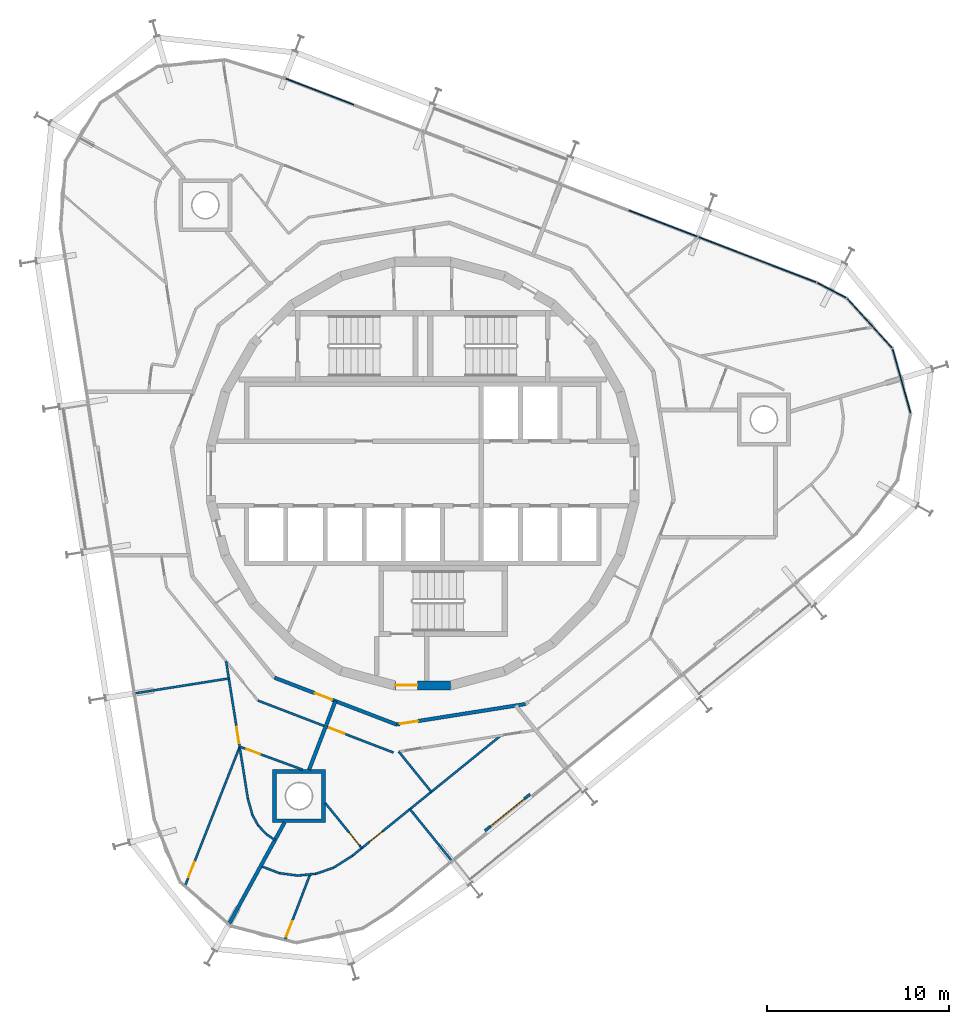
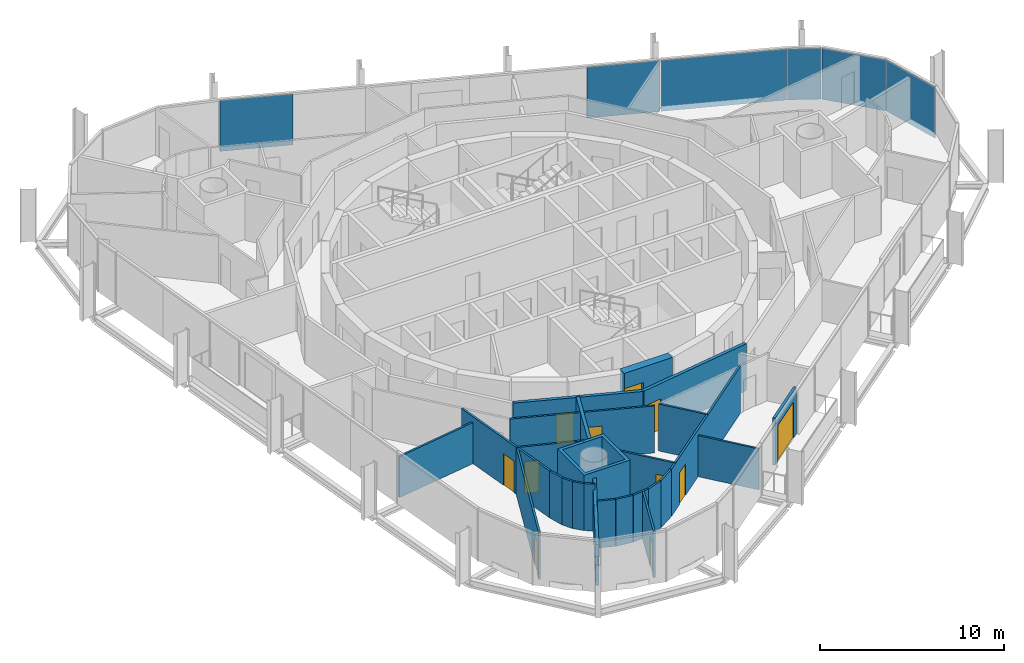
# One storey, part 11 of 17: 26 walls, 11 doors, 6 plates, 11 openings, 2 elements without a shape of their own.
"""IFC4 building model written with IfcOpenShell, lengths in metres."""

from ifc_helpers import new_model, si_unit, direction, frame, frame_2d, origin, origin_2d, place, context, subcontext, project, spatial, polyline, rectangle, outline, extrude, material, layer, layer_set, type_object, element, fill, aggregate, save


model = new_model("IFC4")

# Units and contexts
model_context = context("Model", 3, precision=1e-05, world=origin(), true_north=direction((0.0, 1.0)))
body_context = subcontext(model_context, "Body", "Model", "MODEL_VIEW")
ifc_project = project(units=[si_unit("LENGTHUNIT", "METRE"), si_unit("AREAUNIT", "SQUARE_METRE"), si_unit("VOLUMEUNIT", "CUBIC_METRE"), si_unit("PLANEANGLEUNIT", "RADIAN"), si_unit("MASSUNIT", "GRAM", prefix="KILO")], contexts=[model_context])

# Site, building, storey
site_placement = place(None, origin())
site = spatial("IfcSite", under=ifc_project, at=site_placement, CompositionType="ELEMENT")
building_placement = place(site_placement, origin())
building = spatial("IfcBuilding", under=site, at=building_placement, Name="Spindle Arch Residences", CompositionType="ELEMENT")
storey_placement = place(building_placement, frame((0.0, 0.0, 270.39990234375)))
storey = spatial("IfcBuildingStorey", under=building, at=storey_placement, Name="L69", CompositionType="ELEMENT", Elevation=270.39990234375)

# Curtain wall, plates
ifc_material_1 = material(Name="Aluminium bronze unitised frame with tinted glass", Category="aluminium")
ifc_layer_1 = layer(ifc_material_1, 0.159912109375)
ifc_layer_set_1 = layer_set([ifc_layer_1], Name="CW-D corner wall on the fillet arcs")
curtain_wall_type_1 = type_object("IfcCurtainWallType", Name="CW-D corner wall on the fillet arcs", PredefinedType="NOTDEFINED", material=ifc_layer_set_1)
curtain_wall_1_placement = place(storey_placement, origin())
curtain_wall_1 = element("IfcCurtainWall", 1, at=curtain_wall_1_placement, inside=storey, type_object=curtain_wall_type_1, Name="CW-D L69 run 1", PredefinedType="NOTDEFINED")
ifc_material_2 = material(Name="Tinted double glazing over aluminium faced non-combustible spandrel zone (K0)", Category="aluminium")
ifc_layer_2 = layer(ifc_material_2, 0.06005859375)
ifc_layer_set_2 = layer_set([ifc_layer_2], Name="Unitised glass panel with E 60 spandrel zone")
plate_type = type_object("IfcPlateType", Name="Unitised glass panel with E 60 spandrel zone", PredefinedType="CURTAIN_PANEL", material=ifc_layer_set_2)
plate_1_placement = place(storey_placement, frame((26.32958984375, 5.09423828125, -0.3798828125), z_axis=(0.0, 0.0, 1.0), x_axis=(-0.270040328007, 0.962849012696, 0.0)))
plate_1 = element("IfcPlate", 2, at=plate_1_placement, type_object=plate_type, Name="CW-D unit 03", PredefinedType="CURTAIN_PANEL", context=body_context, shape_type="SweptSolid", body=[
    extrude(rectangle(XDim=3.666748046875, YDim=0.06005859375, at=origin_2d()), origin(), (0.0, 0.0, 1.0), 3.3798828125),
])
plate_2_placement = place(storey_placement, frame((24.571533203125, 8.265869140625, -0.3798828125), z_axis=(0.0, 0.0, 1.0), x_axis=(-0.673442702134, 0.73923942464, 0.0)))
plate_2 = element("IfcPlate", 3, at=plate_2_placement, type_object=plate_type, Name="CW-D unit 04", PredefinedType="CURTAIN_PANEL", context=body_context, shape_type="SweptSolid", body=[
    extrude(rectangle(XDim=3.666748046875, YDim=0.06005859375, at=origin_2d()), origin(), (0.0, 0.0, 1.0), 3.3798828125),
])
plate_3_placement = place(storey_placement, frame((22.48583984375, 10.078857421875, -0.3798828125), z_axis=(0.0, 0.0, 1.0), x_axis=(-0.885663912754, 0.464326860783, 0.0)))
plate_3 = element("IfcPlate", 4, at=plate_3_placement, type_object=plate_type, Name="CW-D unit 05", PredefinedType="CURTAIN_PANEL", context=body_context, shape_type="SweptSolid", body=[
    extrude(rectangle(XDim=1.816162109375, YDim=0.06005859375, at=origin_2d()), origin(), (0.0, 0.0, 1.0), 3.3798828125),
])
plate_4_placement = place(storey_placement, frame((18.392333984375, 11.76708984375, -0.3798828125), z_axis=(0.0, 0.0, 1.0), x_axis=(-0.933580426497, 0.358367949545, 0.0)))
plate_4 = element("IfcPlate", 5, at=plate_4_placement, type_object=plate_type, Name="CW-D unit 06", PredefinedType="CURTAIN_PANEL", context=body_context, shape_type="SweptSolid", body=[
    extrude(rectangle(XDim=6.9296875, YDim=0.06005859375, at=origin_2d()), origin(), (0.0, 0.0, 1.0), 3.3798828125),
])
aggregate(curtain_wall_1, [plate_1, plate_2, plate_3, plate_4])

ifc_material_3 = material(Name="Aluminium bronze unitised frame with tinted glass", Category="aluminium")
ifc_layer_3 = layer(ifc_material_3, 0.159912109375)
ifc_layer_set_3 = layer_set([ifc_layer_3], Name="CW-C typical residential unitised wall")
curtain_wall_type_2 = type_object("IfcCurtainWallType", Name="CW-C typical residential unitised wall", PredefinedType="NOTDEFINED", material=ifc_layer_set_3)
curtain_wall_2_placement = place(storey_placement, origin())
curtain_wall_2 = element("IfcCurtainWall", 6, at=curtain_wall_2_placement, inside=storey, type_object=curtain_wall_type_2, Name="CW-C L69 run 2", PredefinedType="NOTDEFINED")
plate_5_placement = place(storey_placement, frame((13.22314453125, 13.751220703125, -0.3798828125), z_axis=(0.0, 0.0, 1.0), x_axis=(-0.933580426497, 0.358367949545, 0.0)))
plate_5 = element("IfcPlate", 7, at=plate_5_placement, type_object=plate_type, Name="CW-C unit 05A", PredefinedType="CURTAIN_PANEL", context=body_context, shape_type="SweptSolid", body=[
    extrude(rectangle(XDim=4.023681640625, YDim=0.06005859375, at=origin_2d()), origin(), (0.0, 0.0, 1.0), 3.3798828125),
])
plate_6_placement = place(storey_placement, frame((-5.67138671875, 21.004150390625, -0.3798828125), z_axis=(0.0, 0.0, 1.0), x_axis=(-0.933580426497, 0.358367949545, 0.0)))
plate_6 = element("IfcPlate", 8, at=plate_6_placement, type_object=plate_type, Name="CW-C unit 07B", PredefinedType="CURTAIN_PANEL", context=body_context, shape_type="SweptSolid", body=[
    extrude(rectangle(XDim=4.023681640625, YDim=0.06005859375, at=origin_2d()), origin(), (0.0, 0.0, 1.0), 3.3798828125),
])
aggregate(curtain_wall_2, [plate_5, plate_6])

# Wall, opening, door
ifc_material_4 = material(Name="Concrete C50/60", Category="concrete")
ifc_layer_4 = layer(ifc_material_4, 0.5)
ifc_layer_set_4 = layer_set([ifc_layer_4], Name="Core outline wall 500")
wall_type_1 = type_object("IfcWallType", Name="Core outline wall 500", PredefinedType="SHEAR", material=ifc_layer_set_4)
wall_1_placement = place(storey_placement, frame((-1.516357421875, -11.647216796875, 0.0), z_axis=(0.0, 0.0, 1.0), x_axis=(1.0, 0.0, 0.0)))
wall_1 = element("IfcWall", 9, at=wall_1_placement, inside=storey, type_object=wall_type_1, Name="Core outline wall 24", PredefinedType="SHEAR", context=body_context, shape_type="SweptSolid", body=[
    extrude(rectangle(XDim=3.03271484375, YDim=0.5, at=frame_2d((1.516357421875, 0.0))), origin(), (0.0, 0.0, 1.0), 3.1201171875),
])
opening_1_placement = place(wall_1_placement, frame((0.016357421875, 0.0, 0.0)))
opening_1 = element("IfcOpeningElement", 10, at=opening_1_placement, cuts=wall_1, Name="Opening R7A0-AD03", PredefinedType="OPENING", context=body_context, shape_type="SweptSolid", body=[
    extrude(rectangle(XDim=1.199951171875, YDim=2.10009765625, at=frame_2d((0.60009765625, 1.050048828125))), frame((0.0, 0.260009765625, 0.0), z_axis=(0.0, -1.0, 0.0), x_axis=(1.0, 0.0, 0.0)), (0.0, 0.0, 1.0), 0.52001953125),
])
ifc_material_5 = material(Name="Steel, fire-resisting door", Category="steel")
door_type_1 = type_object("IfcDoorType", Name="Stair airlock door 1200x2100", OperationType="SINGLE_SWING_LEFT", PredefinedType="DOOR", material=ifc_material_5)
door_1_placement = place(opening_1_placement, origin())
door_1 = element("IfcDoor", 11, at=door_1_placement, inside=storey, type_object=door_type_1, Name="Stair airlock door R7A0-AD03", OperationType="SINGLE_SWING_RIGHT", OverallHeight=2.10009765625, OverallWidth=1.199951171875, PredefinedType="DOOR", context=body_context, shape_type="SweptSolid", body=[
    extrude(rectangle(XDim=1.199951171875, YDim=2.10009765625, at=frame_2d((0.60009765625, 1.050048828125))), frame((0.0, 0.02490234375, 0.0), z_axis=(0.0, -1.0, 0.0), x_axis=(1.0, 0.0, 0.0)), (0.0, 0.0, 1.0), 0.050048828125),
])
fill(opening_1, door_1)

ifc_material_6 = material(Name="Calcium silicate block, plastered")
ifc_layer_5 = layer(ifc_material_6, 0.199951171875)
ifc_layer_set_5 = layer_set([ifc_layer_5], Name="Corridor wall 200")
wall_type_2 = type_object("IfcWallType", Name="Corridor wall 200", PredefinedType="STANDARD", material=ifc_layer_set_5)
wall_2_placement = place(storey_placement, frame((-8.154296875, -11.223388671875, 0.0), z_axis=(0.0, 0.0, 1.0), x_axis=(0.93359073609, -0.358341090983, 0.0)))
wall_2 = element("IfcWall", 12, at=wall_2_placement, inside=storey, type_object=wall_type_2, Name="Corridor wall R7A0-W013", PredefinedType="STANDARD", context=body_context, shape_type="SweptSolid", body=[
    extrude(rectangle(XDim=7.180908203125, YDim=0.199951171875, at=frame_2d((3.59033203125, 0.0))), origin(), (0.0, 0.0, 1.0), 3.1201171875),
])
opening_2_placement = place(wall_2_placement, frame((2.390380859375, 0.0, 0.0)))
opening_2 = element("IfcOpeningElement", 13, at=opening_2_placement, cuts=wall_2, Name="Opening R7A0-FD04", PredefinedType="OPENING", context=body_context, shape_type="SweptSolid", body=[
    extrude(rectangle(XDim=1.0, YDim=2.10009765625, at=frame_2d((0.5, 1.050048828125))), frame((0.0, 0.10986328125, 0.0), z_axis=(0.0, -1.0, 0.0), x_axis=(1.0, 0.0, 0.0)), (0.0, 0.0, 1.0), 0.219970703125),
])
ifc_material_7 = material(Name="Timber, fire-resisting door set", Category="wood")
door_type_2 = type_object("IfcDoorType", Name="Flat entrance door 1000x2100", OperationType="NOTDEFINED", PredefinedType="DOOR", material=ifc_material_7)
door_2_placement = place(opening_2_placement, origin())
door_2 = element("IfcDoor", 14, at=door_2_placement, inside=storey, type_object=door_type_2, Name="Flat entrance door R7A0-FD04", OperationType="SINGLE_SWING_RIGHT", OverallHeight=2.10009765625, OverallWidth=1.0, PredefinedType="DOOR", context=body_context, shape_type="SweptSolid", body=[
    extrude(rectangle(XDim=1.0, YDim=2.10009765625, at=frame_2d((0.5, 1.050048828125))), frame((0.0, 0.02490234375, 0.0), z_axis=(0.0, -1.0, 0.0), x_axis=(1.0, 0.0, 0.0)), (0.0, 0.0, 1.0), 0.050048828125),
])
fill(opening_2, door_2)

wall_3_placement = place(storey_placement, frame((-1.4501953125, -13.796630859375, 0.0), z_axis=(0.0, 0.0, 1.0), x_axis=(0.987690361611, 0.156421704315, 0.0)))
wall_3 = element("IfcWall", 15, at=wall_3_placement, inside=storey, type_object=wall_type_2, Name="Corridor wall R7A0-W014", PredefinedType="STANDARD", context=body_context, shape_type="SweptSolid", body=[
    extrude(rectangle(XDim=7.18115234375, YDim=0.199951171875, at=frame_2d((3.590576171875, 0.0))), origin(), (0.0, 0.0, 1.0), 3.1201171875),
])
opening_3_placement = place(wall_3_placement, frame((0.199951171875, 0.0, 0.0)))
opening_3 = element("IfcOpeningElement", 16, at=opening_3_placement, cuts=wall_3, Name="Opening R7A0-FD05", PredefinedType="OPENING", context=body_context, shape_type="SweptSolid", body=[
    extrude(rectangle(XDim=1.0, YDim=2.10009765625, at=frame_2d((0.5, 1.050048828125))), frame((0.0, 0.10986328125, 0.0), z_axis=(0.0, -1.0, 0.0), x_axis=(1.0, 0.0, 0.0)), (0.0, 0.0, 1.0), 0.219970703125),
])
door_3_placement = place(opening_3_placement, origin())
door_3 = element("IfcDoor", 17, at=door_3_placement, inside=storey, type_object=door_type_2, Name="Flat entrance door R7A0-FD05", OperationType="SINGLE_SWING_LEFT", OverallHeight=2.10009765625, OverallWidth=1.0, PredefinedType="DOOR", context=body_context, shape_type="SweptSolid", body=[
    extrude(rectangle(XDim=1.0, YDim=2.10009765625, at=frame_2d((0.5, 1.050048828125))), frame((0.0, 0.02490234375, 0.0), z_axis=(0.0, -1.0, 0.0), x_axis=(1.0, 0.0, 0.0)), (0.0, 0.0, 1.0), 0.050048828125),
])
fill(opening_3, door_3)

ifc_material_8 = material(Name="Plasterboard on steel studs", Category="steel")
ifc_layer_6 = layer(ifc_material_8, 0.1201171875)
ifc_layer_set_6 = layer_set([ifc_layer_6], Name="Flat partition 120")
wall_type_3 = type_object("IfcWallType", Name="Flat partition 120", PredefinedType="PARTITIONING", material=ifc_layer_set_6)
wall_4_placement = place(storey_placement, frame((-9.06689453125, -12.4794921875, 0.0), z_axis=(0.0, 0.0, 1.0), x_axis=(0.933579449035, -0.358370495911, 0.0)))
wall_4 = element("IfcWall", 18, at=wall_4_placement, inside=storey, type_object=wall_type_3, Name="Flat partition R7A0-W065", PredefinedType="PARTITIONING", context=body_context, shape_type="SweptSolid", body=[
    extrude(rectangle(XDim=7.98486328125, YDim=0.1201171875, at=frame_2d((3.992431640625, 0.0))), origin(), (0.0, 0.0, 1.0), 3.1201171875),
])
opening_4_placement = place(wall_4_placement, frame((4.1923828125, 0.0, 0.0)))
opening_4 = element("IfcOpeningElement", 19, at=opening_4_placement, cuts=wall_4, Name="Opening R7A0-ID18", PredefinedType="OPENING", context=body_context, shape_type="SweptSolid", body=[
    extrude(rectangle(XDim=0.89990234375, YDim=2.10009765625, at=frame_2d((0.449951171875, 1.050048828125))), frame((0.0, 0.070068359375, 0.0), z_axis=(0.0, -1.0, 0.0), x_axis=(1.0, 0.0, 0.0)), (0.0, 0.0, 1.0), 0.14013671875),
])
ifc_material_9 = material(Name="Timber door set", Category="wood")
door_type_3 = type_object("IfcDoorType", Name="Room door 900x2100", OperationType="NOTDEFINED", PredefinedType="DOOR", material=ifc_material_9)
door_4_placement = place(opening_4_placement, origin())
door_4 = element("IfcDoor", 20, at=door_4_placement, inside=storey, type_object=door_type_3, Name="Room door R7A0-ID18", OperationType="SINGLE_SWING_RIGHT", OverallHeight=2.10009765625, OverallWidth=0.89990234375, PredefinedType="DOOR", context=body_context, shape_type="SweptSolid", body=[
    extrude(rectangle(XDim=0.89990234375, YDim=2.10009765625, at=frame_2d((0.449951171875, 1.050048828125))), frame((0.0, 0.02490234375, 0.0), z_axis=(0.0, -1.0, 0.0), x_axis=(1.0, 0.0, 0.0)), (0.0, 0.0, 1.0), 0.050048828125),
])
fill(opening_4, door_4)

wall_5_placement = place(storey_placement, frame((-9.619384765625, -17.87060546875, 0.0), z_axis=(0.0, 0.0, 1.0), x_axis=(-0.156433255633, 0.987688532146, 0.0)))
wall_5 = element("IfcWall", 21, at=wall_5_placement, inside=storey, type_object=wall_type_3, Name="Flat partition R7A0-W067", PredefinedType="PARTITIONING", context=body_context, shape_type="SweptSolid", body=[
    extrude(rectangle(XDim=7.64404296875, YDim=0.1201171875, at=frame_2d((3.822021484375, 0.0))), origin(), (0.0, 0.0, 1.0), 3.1201171875),
])
opening_5_placement = place(wall_5_placement, frame((3.08740234375, 0.0, 0.0)))
opening_5 = element("IfcOpeningElement", 22, at=opening_5_placement, cuts=wall_5, Name="Opening R7A0-ID16", PredefinedType="OPENING", context=body_context, shape_type="SweptSolid", body=[
    extrude(rectangle(XDim=0.89990234375, YDim=2.10009765625, at=frame_2d((0.449951171875, 1.050048828125))), frame((0.0, 0.070068359375, 0.0), z_axis=(0.0, -1.0, 0.0), x_axis=(1.0, 0.0, 0.0)), (0.0, 0.0, 1.0), 0.14013671875),
])
door_5_placement = place(opening_5_placement, origin())
door_5 = element("IfcDoor", 23, at=door_5_placement, inside=storey, type_object=door_type_3, Name="Room door R7A0-ID16", OperationType="SINGLE_SWING_RIGHT", OverallHeight=2.10009765625, OverallWidth=0.89990234375, PredefinedType="DOOR", context=body_context, shape_type="SweptSolid", body=[
    extrude(rectangle(XDim=0.89990234375, YDim=2.10009765625, at=frame_2d((0.449951171875, 1.050048828125))), frame((0.0, 0.02490234375, 0.0), z_axis=(0.0, -1.0, 0.0), x_axis=(1.0, 0.0, 0.0)), (0.0, 0.0, 1.0), 0.050048828125),
])
fill(opening_5, door_5)

wall_6_placement = place(storey_placement, frame((-13.0673828125, -22.658203125, 0.0), z_axis=(0.0, 0.0, 1.0), x_axis=(0.365785999331, 0.930698986082, 0.0)))
wall_6 = element("IfcWall", 24, at=wall_6_placement, inside=storey, type_object=wall_type_3, Name="Flat partition R7A0-W068", PredefinedType="PARTITIONING", context=body_context, shape_type="SweptSolid", body=[
    extrude(rectangle(XDim=8.1962890625, YDim=0.1201171875, at=frame_2d((4.09814453125, 0.0))), origin(), (0.0, 0.0, 1.0), 3.1201171875),
])
opening_6_placement = place(wall_6_placement, frame((0.5, 0.0, 0.0)))
opening_6 = element("IfcOpeningElement", 25, at=opening_6_placement, cuts=wall_6, Name="Opening R7A0-ID17", PredefinedType="OPENING", context=body_context, shape_type="SweptSolid", body=[
    extrude(rectangle(XDim=0.89990234375, YDim=2.10009765625, at=frame_2d((0.449951171875, 1.050048828125))), frame((0.0, 0.070068359375, 0.0), z_axis=(0.0, -1.0, 0.0), x_axis=(1.0, 0.0, 0.0)), (0.0, 0.0, 1.0), 0.14013671875),
])
door_6_placement = place(opening_6_placement, origin())
door_6 = element("IfcDoor", 26, at=door_6_placement, inside=storey, type_object=door_type_3, Name="Room door R7A0-ID17", OperationType="SINGLE_SWING_RIGHT", OverallHeight=2.10009765625, OverallWidth=0.89990234375, PredefinedType="DOOR", context=body_context, shape_type="SweptSolid", body=[
    extrude(rectangle(XDim=0.89990234375, YDim=2.10009765625, at=frame_2d((0.449951171875, 1.050048828125))), frame((0.0, 0.02490234375, 0.0), z_axis=(0.0, -1.0, 0.0), x_axis=(1.0, 0.0, 0.0)), (0.0, 0.0, 1.0), 0.050048828125),
])
fill(opening_6, door_6)

wall_7_placement = place(storey_placement, frame((-10.0712890625, -15.018798828125, 0.0), z_axis=(0.0, 0.0, 1.0), x_axis=(0.939648507355, -0.34214131967, 0.0)))
wall_7 = element("IfcWall", 27, at=wall_7_placement, inside=storey, type_object=wall_type_3, Name="Flat partition R7A0-W069", PredefinedType="PARTITIONING", context=body_context, shape_type="SweptSolid", body=[
    extrude(rectangle(XDim=3.691162109375, YDim=0.1201171875, at=frame_2d((1.845703125, 0.0))), origin(), (0.0, 0.0, 1.0), 3.1201171875),
])
opening_7_placement = place(wall_7_placement, frame((0.39990234375, 0.0, 0.0)))
opening_7 = element("IfcOpeningElement", 28, at=opening_7_placement, cuts=wall_7, Name="Opening R7A0-BD04", PredefinedType="OPENING", context=body_context, shape_type="SweptSolid", body=[
    extrude(rectangle(XDim=0.800048828125, YDim=2.10009765625, at=frame_2d((0.39990234375, 1.050048828125))), frame((0.0, 0.070068359375, 0.0), z_axis=(0.0, -1.0, 0.0), x_axis=(1.0, 0.0, 0.0)), (0.0, 0.0, 1.0), 0.14013671875),
])
ifc_material_10 = material(Name="Timber door set", Category="wood")
door_type_4 = type_object("IfcDoorType", Name="Bathroom door 800x2100", OperationType="NOTDEFINED", PredefinedType="DOOR", material=ifc_material_10)
door_7_placement = place(opening_7_placement, origin())
door_7 = element("IfcDoor", 29, at=door_7_placement, inside=storey, type_object=door_type_4, Name="Bathroom door R7A0-BD04", OperationType="SINGLE_SWING_RIGHT", OverallHeight=2.10009765625, OverallWidth=0.800048828125, PredefinedType="DOOR", context=body_context, shape_type="SweptSolid", body=[
    extrude(rectangle(XDim=0.800048828125, YDim=2.10009765625, at=frame_2d((0.39990234375, 1.050048828125))), frame((0.0, 0.02490234375, 0.0), z_axis=(0.0, -1.0, 0.0), x_axis=(1.0, 0.0, 0.0)), (0.0, 0.0, 1.0), 0.050048828125),
])
fill(opening_7, door_7)

# Walls
wall_8_placement = place(storey_placement, frame((-8.13037109375, -20.15283203125, 0.0), z_axis=(0.0, 0.0, 1.0), x_axis=(-0.825599905246, 0.564255967145, 0.0)))
element("IfcWall", 30, at=wall_8_placement, inside=storey, type_object=wall_type_3, Name="Flat partition R7A0-W070", PredefinedType="PARTITIONING", context=body_context, shape_type="SweptSolid", body=[
    extrude(rectangle(XDim=0.59326171875, YDim=0.1201171875, at=frame_2d((0.296630859375, 0.0))), origin(), (0.0, 0.0, 1.0), 3.1201171875),
])
for number, where, z_axis, x_axis, name in (
    (31, (-8.6201171875, -19.818115234375, 0.0), (0.0, 0.0, 1.0), (-0.673448438961, 0.739234198385, 0.0), "Flat partition R7A0-W071"),
    (32, (-9.052490234375, -19.343505859375, 0.0), (0.0, 0.0, 1.0), (-0.485126357712, 0.874444061706, 0.0), "Flat partition R7A0-W072"),
):
    element("IfcWall", number, at=place(storey_placement, frame(where, z_axis=z_axis, x_axis=x_axis)), inside=storey, type_object=wall_type_3, Name=name, PredefinedType="PARTITIONING", context=body_context, shape_type="SweptSolid", body=[
        extrude(rectangle(XDim=0.64208984375, YDim=0.1201171875, at=frame_2d((0.321044921875, 0.0))), origin(), (0.0, 0.0, 1.0), 3.1201171875),
    ])
wall_9_placement = place(storey_placement, frame((-9.364013671875, -18.781982421875, 0.0), z_axis=(0.0, 0.0, 1.0), x_axis=(-0.269811707714, 0.962913102196, 0.0)))
element("IfcWall", 33, at=wall_9_placement, inside=storey, type_object=wall_type_3, Name="Flat partition R7A0-W073", PredefinedType="PARTITIONING", context=body_context, shape_type="SweptSolid", body=[
    extrude(rectangle(XDim=0.946533203125, YDim=0.1201171875, at=frame_2d((0.47314453125, 0.0))), origin(), (0.0, 0.0, 1.0), 3.1201171875),
])
wall_10_placement = place(storey_placement, frame((-5.8720703125, -22.006103515625, 0.0), z_axis=(0.0, 0.0, 1.0), x_axis=(-0.99510832942, -0.09878973995, 0.0)))
element("IfcWall", 34, at=wall_10_placement, inside=storey, type_object=wall_type_3, Name="Flat partition R7A0-W075", PredefinedType="PARTITIONING", context=body_context, shape_type="SweptSolid", body=[
    extrude(rectangle(XDim=1.015625, YDim=0.1201171875, at=frame_2d((0.5078125, 0.0))), origin(), (0.0, 0.0, 1.0), 3.1201171875),
])
wall_11_placement = place(storey_placement, frame((-6.8828125, -22.1064453125, 0.0), z_axis=(0.0, 0.0, 1.0), x_axis=(-0.991069822827, 0.133343939799, 0.0)))
element("IfcWall", 35, at=wall_11_placement, inside=storey, type_object=wall_type_3, Name="Flat partition R7A0-W076", PredefinedType="PARTITIONING", context=body_context, shape_type="SweptSolid", body=[
    extrude(rectangle(XDim=1.01611328125, YDim=0.1201171875, at=frame_2d((0.508056640625, 0.0))), origin(), (0.0, 0.0, 1.0), 3.1201171875),
])
wall_12_placement = place(storey_placement, frame((-7.889892578125, -21.970947265625, 0.0), z_axis=(0.0, 0.0, 1.0), x_axis=(-0.933574629243, 0.358383051545, 0.0)))
element("IfcWall", 36, at=wall_12_placement, inside=storey, type_object=wall_type_3, Name="Flat partition R7A0-W077", PredefinedType="PARTITIONING", context=body_context, shape_type="SweptSolid", body=[
    extrude(rectangle(XDim=1.015625, YDim=0.1201171875, at=frame_2d((0.5078125, 0.0))), origin(), (0.0, 0.0, 1.0), 3.1201171875),
])

# Wall, opening, door
wall_13_placement = place(storey_placement, frame((-7.57861328125, -25.6455078125, 0.0), z_axis=(0.0, 0.0, 1.0), x_axis=(0.358314257596, 0.933601035134, 0.0)))
wall_13 = element("IfcWall", 37, at=wall_13_placement, inside=storey, type_object=wall_type_3, Name="Flat partition R7A0-W078", PredefinedType="PARTITIONING", context=body_context, shape_type="SweptSolid", body=[
    extrude(rectangle(XDim=3.864013671875, YDim=0.1201171875, at=frame_2d((1.93212890625, 0.0))), origin(), (0.0, 0.0, 1.0), 3.1201171875),
])
opening_8_placement = place(wall_13_placement, frame((0.199951171875, 0.0, 0.0)))
opening_8 = element("IfcOpeningElement", 38, at=opening_8_placement, cuts=wall_13, Name="Opening R7A0-ID22", PredefinedType="OPENING", context=body_context, shape_type="SweptSolid", body=[
    extrude(rectangle(XDim=0.89990234375, YDim=2.10009765625, at=frame_2d((0.449951171875, 1.050048828125))), frame((0.0, 0.070068359375, 0.0), z_axis=(0.0, -1.0, 0.0), x_axis=(1.0, 0.0, 0.0)), (0.0, 0.0, 1.0), 0.14013671875),
])
door_8_placement = place(opening_8_placement, origin())
door_8 = element("IfcDoor", 39, at=door_8_placement, inside=storey, type_object=door_type_3, Name="Room door R7A0-ID22", OperationType="SINGLE_SWING_LEFT", OverallHeight=2.10009765625, OverallWidth=0.89990234375, PredefinedType="DOOR", context=body_context, shape_type="SweptSolid", body=[
    extrude(rectangle(XDim=0.89990234375, YDim=2.10009765625, at=frame_2d((0.449951171875, 1.050048828125))), frame((0.0, 0.02490234375, 0.0), z_axis=(0.0, -1.0, 0.0), x_axis=(1.0, 0.0, 0.0)), (0.0, 0.0, 1.0), 0.050048828125),
])
fill(opening_8, door_8)

wall_14_placement = place(storey_placement, frame((-3.35400390625, -20.597412109375, 0.0), z_axis=(0.0, 0.0, 1.0), x_axis=(-0.629352711751, 0.777119787556, 0.0)))
wall_14 = element("IfcWall", 40, at=wall_14_placement, inside=storey, type_object=wall_type_3, Name="Flat partition R7A0-W079", PredefinedType="PARTITIONING", context=body_context, shape_type="SweptSolid", body=[
    extrude(rectangle(XDim=3.18212890625, YDim=0.1201171875, at=frame_2d((1.591064453125, 0.0))), origin(), (0.0, 0.0, 1.0), 3.1201171875),
])
opening_9_placement = place(wall_14_placement, frame((0.199951171875, 0.0, 0.0)))
opening_9 = element("IfcOpeningElement", 41, at=opening_9_placement, cuts=wall_14, Name="Opening R7A0-ID20", PredefinedType="OPENING", context=body_context, shape_type="SweptSolid", body=[
    extrude(rectangle(XDim=0.89990234375, YDim=2.10009765625, at=frame_2d((0.449951171875, 1.050048828125))), frame((0.0, 0.070068359375, 0.0), z_axis=(0.0, -1.0, 0.0), x_axis=(1.0, 0.0, 0.0)), (0.0, 0.0, 1.0), 0.14013671875),
])
door_9_placement = place(opening_9_placement, origin())
door_9 = element("IfcDoor", 42, at=door_9_placement, inside=storey, type_object=door_type_3, Name="Room door R7A0-ID20", OperationType="SINGLE_SWING_LEFT", OverallHeight=2.10009765625, OverallWidth=0.89990234375, PredefinedType="DOOR", context=body_context, shape_type="SweptSolid", body=[
    extrude(rectangle(XDim=0.89990234375, YDim=2.10009765625, at=frame_2d((0.449951171875, 1.050048828125))), frame((0.0, 0.02490234375, 0.0), z_axis=(0.0, -1.0, 0.0), x_axis=(1.0, 0.0, 0.0)), (0.0, 0.0, 1.0), 0.050048828125),
])
fill(opening_9, door_9)

# Walls
wall_15_placement = place(storey_placement, frame((-5.8720703125, -22.006103515625, 0.0), z_axis=(0.0, 0.0, 1.0), x_axis=(0.945561838326, 0.325442483247, 0.0)))
element("IfcWall", 43, at=wall_15_placement, inside=storey, type_object=wall_type_3, Name="Flat partition R7A0-W080", PredefinedType="PARTITIONING", context=body_context, shape_type="SweptSolid", body=[
    extrude(rectangle(XDim=1.015625, YDim=0.1201171875, at=frame_2d((0.5078125, 0.0))), origin(), (0.0, 0.0, 1.0), 3.1201171875),
])
wall_16_placement = place(storey_placement, frame((-4.91162109375, -21.675537109375, 0.0), z_axis=(0.0, 0.0, 1.0), x_axis=(0.84494492492, 0.534853319941, 0.0)))
element("IfcWall", 44, at=wall_16_placement, inside=storey, type_object=wall_type_3, Name="Flat partition R7A0-W081", PredefinedType="PARTITIONING", context=body_context, shape_type="SweptSolid", body=[
    extrude(rectangle(XDim=1.2275390625, YDim=0.1201171875, at=frame_2d((0.61376953125, 0.0))), origin(), (0.0, 0.0, 1.0), 3.1201171875),
])

# Wall, opening, door
wall_17_placement = place(storey_placement, frame((-3.87451171875, -21.01904296875, 0.0), z_axis=(0.0, 0.0, 1.0), x_axis=(0.777149096542, 0.629316519523, 0.0)))
wall_17 = element("IfcWall", 45, at=wall_17_placement, inside=storey, type_object=wall_type_3, Name="Flat partition R7A0-W082", PredefinedType="PARTITIONING", context=body_context, shape_type="SweptSolid", body=[
    extrude(rectangle(XDim=10.50830078125, YDim=0.1201171875, at=frame_2d((5.254150390625, 0.0))), origin(), (0.0, 0.0, 1.0), 3.1201171875),
])
opening_10_placement = place(wall_17_placement, frame((1.22998046875, 0.0, 0.0)))
opening_10 = element("IfcOpeningElement", 46, at=opening_10_placement, cuts=wall_17, Name="Opening R7A0-ID21", PredefinedType="OPENING", context=body_context, shape_type="SweptSolid", body=[
    extrude(rectangle(XDim=0.89990234375, YDim=2.10009765625, at=frame_2d((0.449951171875, 1.050048828125))), frame((0.0, 0.070068359375, 0.0), z_axis=(0.0, -1.0, 0.0), x_axis=(1.0, 0.0, 0.0)), (0.0, 0.0, 1.0), 0.14013671875),
])
door_10_placement = place(opening_10_placement, origin())
door_10 = element("IfcDoor", 47, at=door_10_placement, inside=storey, type_object=door_type_3, Name="Room door R7A0-ID21", OperationType="SINGLE_SWING_LEFT", OverallHeight=2.10009765625, OverallWidth=0.89990234375, PredefinedType="DOOR", context=body_context, shape_type="SweptSolid", body=[
    extrude(rectangle(XDim=0.89990234375, YDim=2.10009765625, at=frame_2d((0.449951171875, 1.050048828125))), frame((0.0, 0.02490234375, 0.0), z_axis=(0.0, -1.0, 0.0), x_axis=(1.0, 0.0, 0.0)), (0.0, 0.0, 1.0), 0.050048828125),
])
fill(opening_10, door_10)

# Walls
wall_18_placement = place(storey_placement, frame((0.468994140625, -17.501708984375, 0.0), z_axis=(0.0, 0.0, 1.0), x_axis=(-0.629307025607, 0.777156784389, 0.0)))
element("IfcWall", 48, at=wall_18_placement, inside=storey, type_object=wall_type_3, Name="Flat partition R7A0-W083", PredefinedType="PARTITIONING", context=body_context, shape_type="SweptSolid", body=[
    extrude(rectangle(XDim=2.840087890625, YDim=0.1201171875, at=frame_2d((1.419921875, 0.0))), origin(), (0.0, 0.0, 1.0), 3.1201171875),
])
ifc_material_11 = material(Name="Plasterboard on steel studs", Category="steel")
ifc_layer_7 = layer(ifc_material_11, 0.1201171875)
ifc_layer_set_7 = layer_set([ifc_layer_7], Name="Flat partition 120 under beam 2730")
wall_type_4 = type_object("IfcWallType", Name="Flat partition 120 under beam 2730", PredefinedType="PARTITIONING", material=ifc_layer_set_7)
wall_19_placement = place(storey_placement, frame((-15.801513671875, -12.07958984375, 0.0), z_axis=(0.0, 0.0, 1.0), x_axis=(0.987687857978, 0.156437512135, 0.0)))
element("IfcWall", 49, at=wall_19_placement, inside=storey, type_object=wall_type_4, Name="Flat partition R7A0-W066", PredefinedType="PARTITIONING", context=body_context, shape_type="SweptSolid", body=[
    extrude(rectangle(XDim=5.199951171875, YDim=0.1201171875, at=frame_2d((2.60009765625, 0.0))), origin(), (0.0, 0.0, 1.0), 2.72998046875),
])
wall_20_placement = place(storey_placement, frame((1.559814453125, -21.250732421875, 0.0), z_axis=(0.0, 0.0, 1.0), x_axis=(-0.62934843781, 0.7771232488, 0.0)))
element("IfcWall", 50, at=wall_20_placement, inside=storey, type_object=wall_type_4, Name="Flat partition R7A0-W084", PredefinedType="PARTITIONING", context=body_context, shape_type="SweptSolid", body=[
    extrude(rectangle(XDim=3.599853515625, YDim=0.1201171875, at=frame_2d((1.7998046875, 0.0))), origin(), (0.0, 0.0, 1.0), 2.72998046875),
])
ifc_material_12 = material(Name="Calcium silicate block, plastered")
ifc_layer_8 = layer(ifc_material_12, 0.199951171875)
ifc_layer_set_8 = layer_set([ifc_layer_8], Name="Flat party wall 200")
wall_type_5 = type_object("IfcWallType", Name="Flat party wall 200", PredefinedType="STANDARD", material=ifc_layer_set_8)
wall_21_placement = place(storey_placement, frame((-6.25, -16.28173828125, 0.0), z_axis=(0.0, 0.0, 1.0), x_axis=(0.358351333512, 0.933586804625, 0.0)))
element("IfcWall", 51, at=wall_21_placement, inside=storey, type_object=wall_type_5, Name="Flat party wall R7A0-W027", PredefinedType="STANDARD", context=body_context, shape_type="SweptSolid", body=[
    extrude(rectangle(XDim=4.0400390625, YDim=0.199951171875, at=frame_2d((2.02001953125, 0.0))), origin(), (0.0, 0.0, 1.0), 3.1201171875),
])
ifc_material_13 = material(Name="Calcium silicate block, plastered")
ifc_layer_9 = layer(ifc_material_13, 0.199951171875)
ifc_layer_set_9 = layer_set([ifc_layer_9], Name="Flat party wall 200 under beam 2730")
wall_type_6 = type_object("IfcWallType", Name="Flat party wall 200 under beam 2730", PredefinedType="STANDARD", material=ifc_layer_set_9)
wall_22_placement = place(storey_placement, frame((-10.636962890625, -24.738037109375, 0.0), z_axis=(0.0, 0.0, 1.0), x_axis=(0.479683887596, 0.877441375808, 0.0)))
element("IfcWall", 52, at=wall_22_placement, inside=storey, type_object=wall_type_6, Name="Flat party wall R7A0-W028", PredefinedType="STANDARD", context=body_context, shape_type="SweptSolid", body=[
    extrude(rectangle(XDim=6.33251953125, YDim=0.199951171875, at=frame_2d((3.166259765625, 0.0))), origin(), (0.0, 0.0, 1.0), 2.72998046875),
])

# Wall, opening, door
ifc_material_14 = material(Name="Non-combustible mineral wool insulated aluminium faced external wall (K0)", Category="aluminium")
ifc_layer_10 = layer(ifc_material_14, 0.159912109375)
ifc_layer_set_10 = layer_set([ifc_layer_10], Name="Insulated external wall panel 160")
wall_type_7 = type_object("IfcWallType", Name="Insulated external wall panel 160", PredefinedType="STANDARD", material=ifc_layer_set_10)
wall_23_placement = place(storey_placement, frame((3.41650390625, -19.64453125, 0.0), z_axis=(0.0, 0.0, 1.0), x_axis=(0.777125818, 0.629345265333, 0.0)))
wall_23 = element("IfcWall", 53, at=wall_23_placement, inside=storey, type_object=wall_type_7, Name="External wall L69 bay 19", PredefinedType="STANDARD", context=body_context, shape_type="SweptSolid", body=[
    extrude(rectangle(XDim=3.199951171875, YDim=0.159912109375, at=frame_2d((1.60009765625, 0.0))), origin(), (0.0, 0.0, 1.0), 3.1201171875),
])
opening_11_placement = place(wall_23_placement, frame((0.39990234375, 0.0, 0.0)))
opening_11 = element("IfcOpeningElement", 54, at=opening_11_placement, cuts=wall_23, Name="Opening BD19", PredefinedType="OPENING", context=body_context, shape_type="SweptSolid", body=[
    extrude(rectangle(XDim=2.39990234375, YDim=2.39990234375, at=frame_2d((1.199951171875, 1.199951171875))), frame((0.0, 0.08984375, 0.0), z_axis=(0.0, -1.0, 0.0), x_axis=(1.0, 0.0, 0.0)), (0.0, 0.0, 1.0), 0.179931640625),
])
ifc_material_15 = material(Name="Bronze aluminium frame, tinted double glazing", Category="aluminium")
door_type_5 = type_object("IfcDoorType", Name="Sliding glazed balcony door 2400x2400", OperationType="DOUBLE_DOOR_SLIDING", PredefinedType="DOOR", material=ifc_material_15)
door_11_placement = place(opening_11_placement, origin())
door_11 = element("IfcDoor", 55, at=door_11_placement, inside=storey, type_object=door_type_5, Name="Balcony door BD19", OperationType="DOUBLE_DOOR_SLIDING", OverallHeight=2.39990234375, OverallWidth=2.39990234375, PredefinedType="DOOR", context=body_context, shape_type="SweptSolid", body=[
    extrude(rectangle(XDim=2.39990234375, YDim=2.39990234375, at=frame_2d((1.199951171875, 1.199951171875))), frame((0.0, 0.02490234375, 0.0), z_axis=(0.0, -1.0, 0.0), x_axis=(1.0, 0.0, 0.0)), (0.0, 0.0, 1.0), 0.050048828125),
])
fill(opening_11, door_11)

# Wall
ifc_material_16 = material(Name="Calcium silicate block, plastered")
ifc_layer_11 = layer(ifc_material_16, 0.199951171875)
ifc_layer_set_11 = layer_set([ifc_layer_11], Name="Mega-column casing wall 200")
wall_type_8 = type_object("IfcWallType", Name="Mega-column casing wall 200", PredefinedType="STANDARD", material=ifc_layer_set_11)
wall_24_placement = place(storey_placement, origin())
element("IfcWall", 56, at=wall_24_placement, inside=storey, type_object=wall_type_8, Name="Mega-column casing wall R7A0-WC03", PredefinedType="STANDARD", context=body_context, shape_type="SweptSolid", body=[
    extrude(outline(polyline([(-5.356689453125, -16.28173828125), (-5.356689453125, -19.181640625), (-8.256591796875, -19.181640625), (-8.256591796875, -16.28173828125), (-5.356689453125, -16.28173828125)]), holes=[polyline([(-8.056640625, -18.981689453125), (-5.556640625, -18.981689453125), (-5.556640625, -16.481689453125), (-8.056640625, -16.481689453125), (-8.056640625, -18.981689453125)])]), origin(), (0.0, 0.0, 1.0), 3.1201171875),
])

save(model, "model.ifc")
